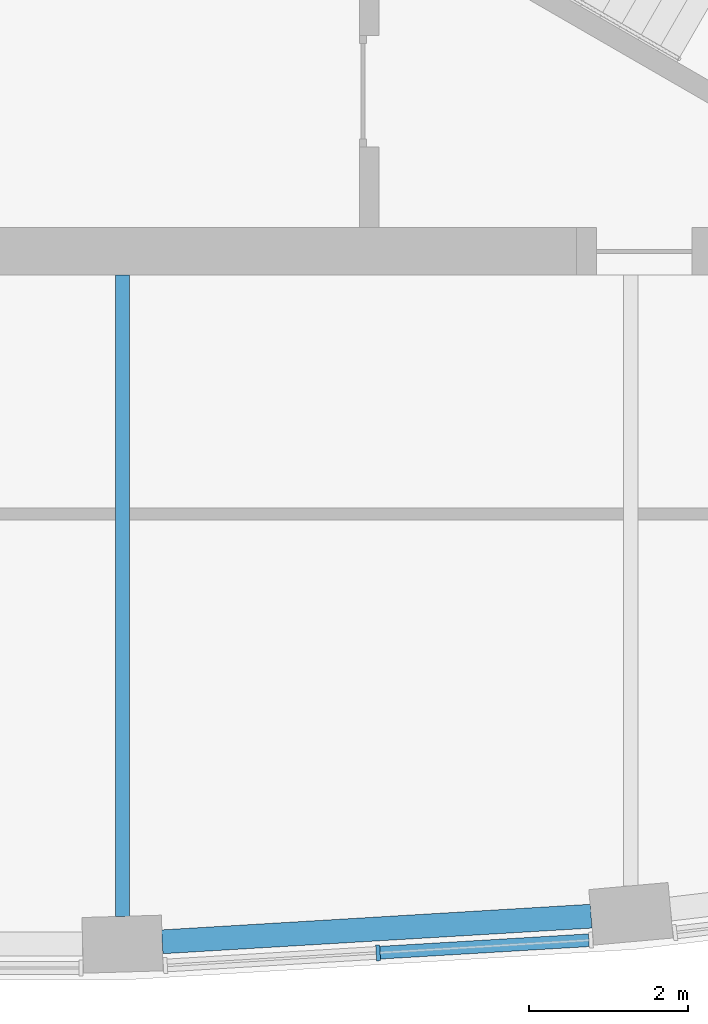
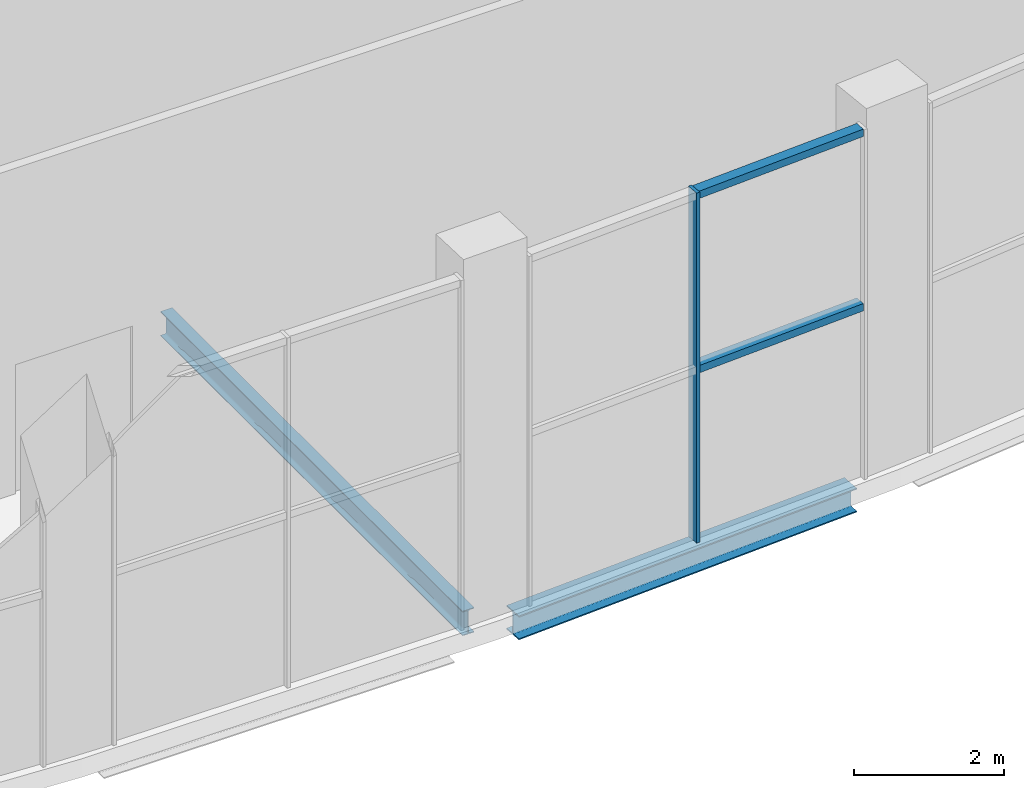
# One storey, part 3 of 15: 3 members, 2 beams, 1 element without a shape of its own.
"""IFC4 building model written with IfcOpenShell, lengths in metres."""

from ifc_helpers import new_model, si_unit, direction, frame, origin, origin_2d, place, context, subcontext, project, spatial, rectangle, i_section, extrude, material, material_profile, profile_set, type_object, element, aggregate, save


model = new_model("IFC4")

# Units and contexts
model_context = context("Model", 3, precision=1e-05, world=origin(), true_north=direction((0.0, 1.0)))
body_context = subcontext(model_context, "Body", "Model", "MODEL_VIEW")
ifc_project = project(units=[si_unit("LENGTHUNIT", "METRE"), si_unit("AREAUNIT", "SQUARE_METRE"), si_unit("VOLUMEUNIT", "CUBIC_METRE"), si_unit("PLANEANGLEUNIT", "RADIAN"), si_unit("MASSUNIT", "GRAM", prefix="KILO")], contexts=[model_context])

# Site, building, storey
site_placement = place(None, origin())
site = spatial("IfcSite", under=ifc_project, at=site_placement, CompositionType="ELEMENT")
building_placement = place(site_placement, origin())
building = spatial("IfcBuilding", under=site, at=building_placement, Name="Mestral Congress Tower", CompositionType="ELEMENT")
storey_placement = place(building_placement, frame((0.0, 0.0, 321.60009765625)))
storey = spatial("IfcBuildingStorey", under=building, at=storey_placement, Name="L75", CompositionType="ELEMENT", Elevation=321.60009765625)

# Curtain wall, members
ifc_material_1 = material(Name="Clear low-emissivity double glazing", Category="glass")
curtain_wall_type = type_object("IfcCurtainWallType", Name="Facade lookout lounge curtain wall", PredefinedType="USERDEFINED", material=ifc_material_1)
curtain_wall_placement = place(storey_placement, origin())
curtain_wall = element("IfcCurtainWall", 1, at=curtain_wall_placement, inside=storey, type_object=curtain_wall_type, Name="Facade lookout lounge curtain wall face 1", ObjectType="CURTAIN WALL", PredefinedType="USERDEFINED")
ifc_material_2 = material(Name="Anodised aluminium", Category="aluminium")
ifc_material_profile_1 = material_profile(ifc_material_2, rectangle(XDim=0.199951171875, YDim=0.050048828125, at=origin_2d()), Name="CW2 mullion 200 x 50")
ifc_profile_set_1 = profile_set([ifc_material_profile_1], Name="Anodised aluminium")
member_type_1 = type_object("IfcMemberType", Name="Facade lookout lounge curtain wall mullion", PredefinedType="MULLION", material=ifc_profile_set_1)
member_1_placement = place(storey_placement, frame((6.411376953125, -18.763916015625, 0.0), z_axis=(0.0, 0.0, 1.0), x_axis=(0.05961823471, -0.998221251071, 0.0)))
member_1 = element("IfcMember", 2, at=member_1_placement, type_object=member_type_1, Name="Facade lookout lounge curtain wall mullion", PredefinedType="MULLION", context=body_context, shape_type="SweptSolid", body=[
    extrude(rectangle(XDim=0.199951171875, YDim=0.050048828125, at=origin_2d()), origin(), (0.0, 0.0, 1.0), 5.699951171875),
])
ifc_material_profile_2 = material_profile(ifc_material_2, rectangle(XDim=0.159912109375, YDim=0.1201171875, at=origin_2d()), Name="CW2 transom 160 x 120")
ifc_profile_set_2 = profile_set([ifc_material_profile_2], Name="Anodised aluminium")
member_type_2 = type_object("IfcMemberType", Name="Facade lookout lounge curtain wall transom", PredefinedType="USERDEFINED", material=ifc_profile_set_2)
member_2_placement = place(storey_placement, frame((6.436279296875, -18.762451171875, 2.7998046875), z_axis=(0.998219810131, 0.059642356268, 0.0), x_axis=(-0.059642356268, 0.998219810131, 0.0)))
member_2 = element("IfcMember", 3, at=member_2_placement, type_object=member_type_2, Name="Facade lookout lounge curtain wall transom", ObjectType="TRANSOM", PredefinedType="USERDEFINED", context=body_context, shape_type="SweptSolid", body=[
    extrude(rectangle(XDim=0.159912109375, YDim=0.1201171875, at=origin_2d()), origin(), (0.0, 0.0, 1.0), 2.6279296875),
])
member_3_placement = place(storey_placement, frame((6.436279296875, -18.762451171875, 5.639892578125), z_axis=(0.998219810131, 0.059642356268, 0.0), x_axis=(-0.059642356268, 0.998219810131, 0.0)))
member_3 = element("IfcMember", 4, at=member_3_placement, type_object=member_type_2, Name="Facade lookout lounge curtain wall transom", ObjectType="TRANSOM", PredefinedType="USERDEFINED", context=body_context, shape_type="SweptSolid", body=[
    extrude(rectangle(XDim=0.159912109375, YDim=0.1201171875, at=origin_2d()), origin(), (0.0, 0.0, 1.0), 2.6279296875),
])
aggregate(curtain_wall, [member_1, member_2, member_3])

# Beams
ifc_material_3 = material(Name="Steel S355", Category="steel")
ifc_material_profile_3 = material_profile(ifc_material_3, i_section(OverallWidth=0.179931640625, OverallDepth=0.39990234375, WebThickness=0.008544921875, FlangeThickness=0.013427734375, FilletRadius=0.02099609375, at=origin_2d()), Name="IPE 400")
ifc_profile_set_3 = profile_set([ifc_material_profile_3], Name="Steel S355")
beam_type_1 = type_object("IfcBeamType", Name="Floor beam IPE 400 S355", PredefinedType="BEAM", material=ifc_profile_set_3)
beam_1_placement = place(storey_placement, frame((3.199462890625, -18.304931640625, -0.5), z_axis=(0.0, 1.0, 0.0), x_axis=(-1.0, 0.0, 0.0)))
element("IfcBeam", 5, at=beam_1_placement, inside=storey, type_object=beam_type_1, Name="BM-L75-RB5-S03", PredefinedType="BEAM", context=body_context, shape_type="SweptSolid", body=[
    extrude(i_section(OverallWidth=0.179931640625, OverallDepth=0.39990234375, WebThickness=0.008544921875, FlangeThickness=0.013427734375, FilletRadius=0.02099609375, at=origin_2d()), origin(), (0.0, 0.0, 1.0), 8.054931640625),
])
ifc_material_profile_4 = material_profile(ifc_material_3, i_section(OverallWidth=0.300048828125, OverallDepth=0.389892578125, WebThickness=0.010986328125, FlangeThickness=0.01904296875, FilletRadius=0.027099609375, at=origin_2d()), Name="HEA 400")
ifc_profile_set_4 = profile_set([ifc_material_profile_4], Name="Steel S355")
beam_type_2 = type_object("IfcBeamType", Name="Spandrel beam HEA 400 S355", PredefinedType="BEAM", material=ifc_profile_set_4)
beam_2_placement = place(storey_placement, frame((3.69873046875, -18.62548828125, -0.4951171875), z_axis=(0.998219522722, 0.059647166371, 0.0), x_axis=(-0.059647166371, 0.998219522722, 0.0)))
element("IfcBeam", 6, at=beam_2_placement, inside=storey, type_object=beam_type_2, Name="SP-L75-SB5-S03", PredefinedType="BEAM", context=body_context, shape_type="SweptSolid", body=[
    extrude(i_section(OverallWidth=0.300048828125, OverallDepth=0.389892578125, WebThickness=0.010986328125, FlangeThickness=0.01904296875, FilletRadius=0.027099609375, at=origin_2d()), origin(), (0.0, 0.0, 1.0), 5.398681640625),
])

save(model, "model.ifc")
